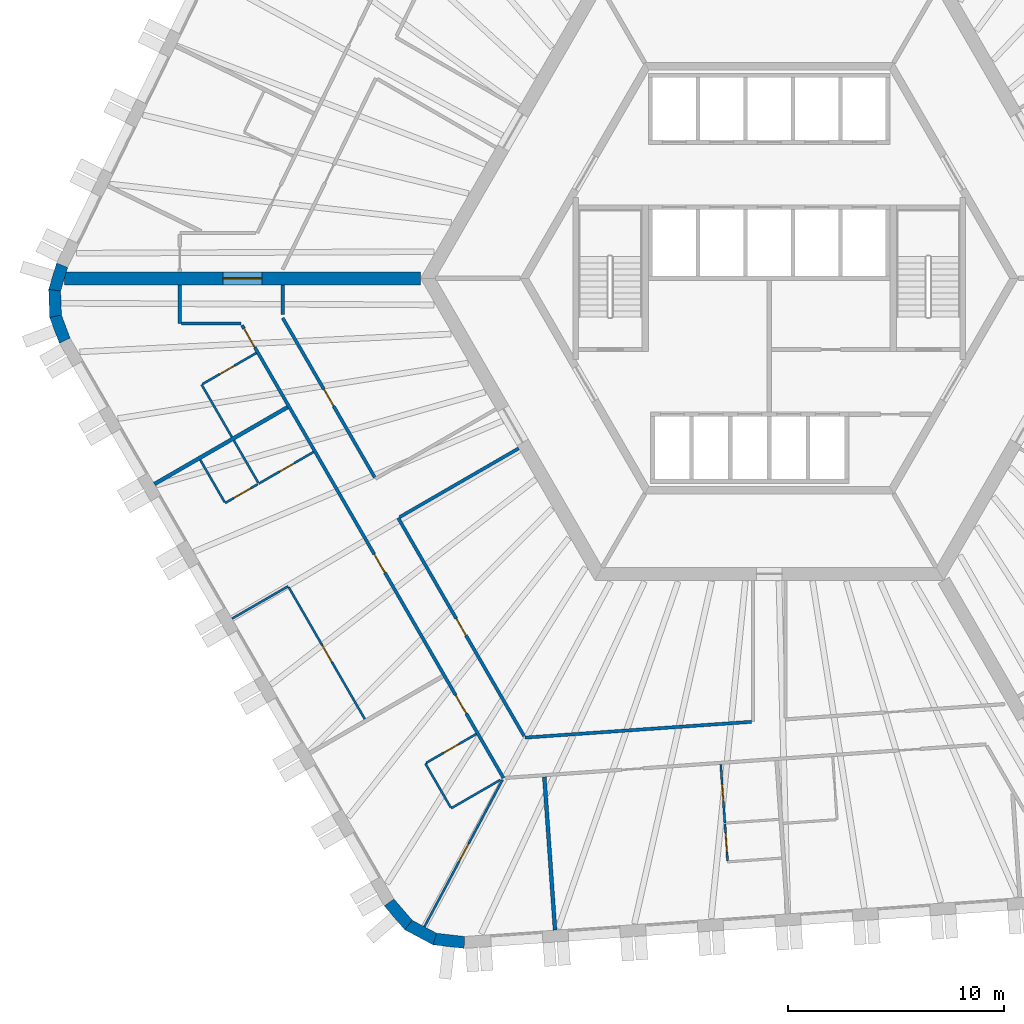
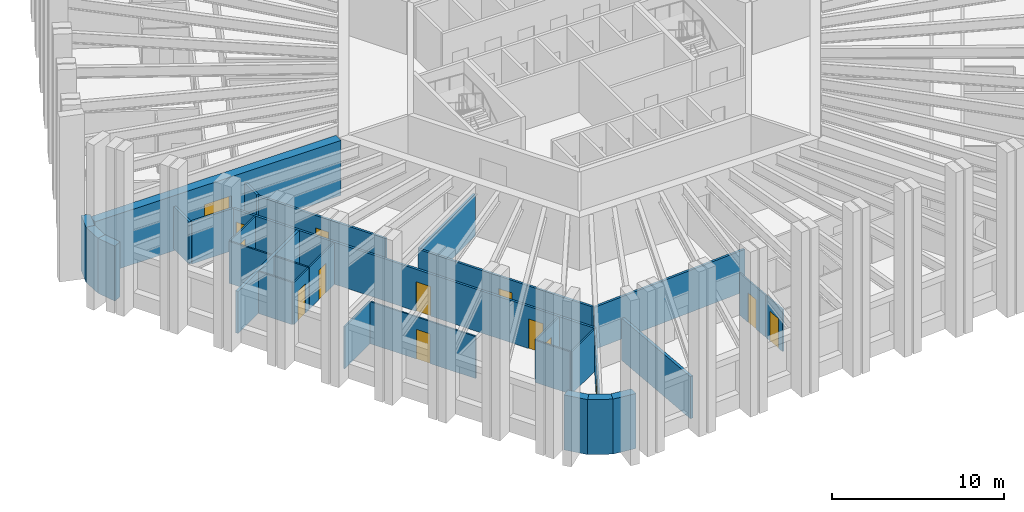
# One storey, part 3 of 12: 31 walls, 14 doors, 14 openings.
"""IFC4 building model written with IfcOpenShell, lengths in metres."""

from ifc_helpers import new_model, si_unit, direction, frame, frame_2d, origin, place, context, subcontext, project, spatial, polyline, rectangle, outline, extrude, material, layer, layer_set, type_object, element, fill, save


model = new_model("IFC4")

# Units and contexts
model_context = context("Model", 3, precision=1e-05, world=origin(), true_north=direction((0.0, 1.0)))
body_context = subcontext(model_context, "Body", "Model", "MODEL_VIEW")
ifc_project = project(units=[si_unit("LENGTHUNIT", "METRE"), si_unit("AREAUNIT", "SQUARE_METRE"), si_unit("VOLUMEUNIT", "CUBIC_METRE"), si_unit("PLANEANGLEUNIT", "RADIAN"), si_unit("MASSUNIT", "GRAM", prefix="KILO")], contexts=[model_context])

# Site, building, storey
site_placement = place(None, origin())
site = spatial("IfcSite", under=ifc_project, at=site_placement, CompositionType="ELEMENT")
building_placement = place(site_placement, origin())
building = spatial("IfcBuilding", under=site, at=building_placement, Name="Tarnside Tower", CompositionType="ELEMENT")
storey_placement = place(building_placement, frame((0.0, 0.0, 99.89990234375)))
storey = spatial("IfcBuildingStorey", under=building, at=storey_placement, Name="L22", CompositionType="ELEMENT", Elevation=99.89990234375)

# Wall
ifc_material_1 = material(Name="Gypsum board partition on steel studs", Category="steel")
ifc_layer_1 = layer(ifc_material_1, 0.10009765625)
ifc_layer_set_1 = layer_set([ifc_layer_1], Name="Bathroom wall 100")
wall_type_1 = type_object("IfcWallType", Name="Bathroom wall 100", PredefinedType="PARTITIONING", material=ifc_layer_set_1)
wall_1_placement = place(storey_placement, frame((-24.90673828125, -7.360595703125, 0.0), z_axis=(0.0, 0.0, 1.0), x_axis=(-0.499933044277, 0.866064057238, 0.0)))
element("IfcWall", 1, at=wall_1_placement, inside=storey, type_object=wall_type_1, Name="Bathroom wall 07102", PredefinedType="PARTITIONING", context=body_context, shape_type="SweptSolid", body=[
    extrude(rectangle(XDim=2.81005859375, YDim=0.10009765625, at=frame_2d((1.405029296875, 0.0))), origin(), (0.0, 0.0, 1.0), 2.98779296875),
])

# Wall, opening, door
wall_2_placement = place(storey_placement, frame((-26.268310546875, -4.90185546875, 0.0), z_axis=(0.0, 0.0, 1.0), x_axis=(0.866018712932, 0.500011588718, 0.0)))
wall_2 = element("IfcWall", 2, at=wall_2_placement, inside=storey, type_object=wall_type_1, Name="Bathroom wall 07103", PredefinedType="PARTITIONING", context=body_context, shape_type="SweptSolid", body=[
    extrude(rectangle(XDim=2.875, YDim=0.10009765625, at=frame_2d((1.4375, 0.0))), origin(), (0.0, 0.0, 1.0), 2.98779296875),
])
opening_1_placement = place(wall_2_placement, frame((0.89990234375, 0.0, 0.0)))
opening_1 = element("IfcOpeningElement", 3, at=opening_1_placement, cuts=wall_2, Name="Opening D-B1", PredefinedType="OPENING", context=body_context, shape_type="SweptSolid", body=[
    extrude(rectangle(XDim=0.800048828125, YDim=2.10009765625, at=frame_2d((0.39990234375, 1.050048828125))), frame((0.0, 0.06005859375, 0.0), z_axis=(0.0, -1.0, 0.0), x_axis=(1.0, 0.0, 0.0)), (0.0, 0.0, 1.0), 0.1201171875),
])
ifc_material_2 = material(Name="Timber door leaf", Category="wood")
door_type_1 = type_object("IfcDoorType", Name="Bathroom door 800", OperationType="NOTDEFINED", PredefinedType="DOOR", material=ifc_material_2)
door_1_placement = place(opening_1_placement, origin())
door_1 = element("IfcDoor", 4, at=door_1_placement, inside=storey, type_object=door_type_1, Name="Bathroom door 07015", OperationType="SINGLE_SWING_RIGHT", OverallHeight=2.10009765625, OverallWidth=0.800048828125, PredefinedType="DOOR", context=body_context, shape_type="SweptSolid", body=[
    extrude(rectangle(XDim=0.800048828125, YDim=2.10009765625, at=frame_2d((0.39990234375, 1.050048828125))), frame((0.0, 0.02490234375, 0.0), z_axis=(0.0, -1.0, 0.0), x_axis=(1.0, 0.0, 0.0)), (0.0, 0.0, 1.0), 0.050048828125),
])
fill(opening_1, door_1)

wall_3_placement = place(storey_placement, frame((-21.12841796875, -8.054443359375, 0.0), z_axis=(0.0, 0.0, 1.0), x_axis=(-0.866046596414, -0.499963291492, 0.0)))
wall_3 = element("IfcWall", 5, at=wall_3_placement, inside=storey, type_object=wall_type_1, Name="Bathroom wall 07107", PredefinedType="PARTITIONING", context=body_context, shape_type="SweptSolid", body=[
    extrude(rectangle(XDim=2.925048828125, YDim=0.10009765625, at=frame_2d((1.46240234375, 0.0))), origin(), (0.0, 0.0, 1.0), 2.98779296875),
])
opening_2_placement = place(wall_3_placement, frame((1.02490234375, 0.0, 0.0)))
opening_2 = element("IfcOpeningElement", 6, at=opening_2_placement, cuts=wall_3, Name="Opening D-B1", PredefinedType="OPENING", context=body_context, shape_type="SweptSolid", body=[
    extrude(rectangle(XDim=0.800048828125, YDim=2.10009765625, at=frame_2d((0.39990234375, 1.050048828125))), frame((0.0, 0.06005859375, 0.0), z_axis=(0.0, -1.0, 0.0), x_axis=(1.0, 0.0, 0.0)), (0.0, 0.0, 1.0), 0.1201171875),
])
door_2_placement = place(opening_2_placement, origin())
door_2 = element("IfcDoor", 7, at=door_2_placement, inside=storey, type_object=door_type_1, Name="Bathroom door 07017", OperationType="SINGLE_SWING_RIGHT", OverallHeight=2.10009765625, OverallWidth=0.800048828125, PredefinedType="DOOR", context=body_context, shape_type="SweptSolid", body=[
    extrude(rectangle(XDim=0.800048828125, YDim=2.10009765625, at=frame_2d((0.39990234375, 1.050048828125))), frame((0.0, 0.02490234375, 0.0), z_axis=(0.0, -1.0, 0.0), x_axis=(1.0, 0.0, 0.0)), (0.0, 0.0, 1.0), 0.050048828125),
])
fill(opening_2, door_2)

# Walls
wall_4_placement = place(storey_placement, frame((-24.816650390625, -7.516357421875, 0.0), z_axis=(0.0, 0.0, 1.0), x_axis=(0.500031020067, -0.8660074936, 0.0)))
element("IfcWall", 8, at=wall_4_placement, inside=storey, type_object=wall_type_1, Name="Bathroom wall 07113", PredefinedType="PARTITIONING", context=body_context, shape_type="SweptSolid", body=[
    extrude(rectangle(XDim=2.260009765625, YDim=0.10009765625, at=frame_2d((1.1298828125, 0.0))), origin(), (0.0, 0.0, 1.0), 2.98779296875),
])
wall_5_placement = place(storey_placement, frame((-12.465576171875, -23.251220703125, 0.0), z_axis=(0.0, 0.0, 1.0), x_axis=(-0.866017009382, -0.50001453925, 0.0)))
element("IfcWall", 9, at=wall_5_placement, inside=storey, type_object=wall_type_1, Name="Bathroom wall 07115", PredefinedType="PARTITIONING", context=body_context, shape_type="SweptSolid", body=[
    extrude(rectangle(XDim=2.62890625, YDim=0.10009765625, at=frame_2d((1.314453125, 0.0))), origin(), (0.0, 0.0, 1.0), 2.98779296875),
])
wall_6_placement = place(storey_placement, frame((-14.767333984375, -24.5224609375, 0.0), z_axis=(0.0, 0.0, 1.0), x_axis=(-0.499938297808, 0.866061024631, 0.0)))
element("IfcWall", 10, at=wall_6_placement, inside=storey, type_object=wall_type_1, Name="Bathroom wall 07116", PredefinedType="PARTITIONING", context=body_context, shape_type="SweptSolid", body=[
    extrude(rectangle(XDim=2.349853515625, YDim=0.10009765625, at=frame_2d((1.1748046875, 0.0))), origin(), (0.0, 0.0, 1.0), 2.98779296875),
])

# Wall, opening, door
wall_7_placement = place(storey_placement, frame((-15.89892578125, -22.462158203125, 0.0), z_axis=(0.0, 0.0, 1.0), x_axis=(0.86604424267, 0.499967368674, 0.0)))
wall_7 = element("IfcWall", 11, at=wall_7_placement, inside=storey, type_object=wall_type_1, Name="Bathroom wall 07117", PredefinedType="PARTITIONING", context=body_context, shape_type="SweptSolid", body=[
    extrude(rectangle(XDim=2.675048828125, YDim=0.10009765625, at=frame_2d((1.33740234375, 0.0))), origin(), (0.0, 0.0, 1.0), 2.98779296875),
])
opening_3_placement = place(wall_7_placement, frame((0.949951171875, 0.0, 0.0)))
opening_3 = element("IfcOpeningElement", 12, at=opening_3_placement, cuts=wall_7, Name="Opening D-B1", PredefinedType="OPENING", context=body_context, shape_type="SweptSolid", body=[
    extrude(rectangle(XDim=0.800048828125, YDim=2.10009765625, at=frame_2d((0.39990234375, 1.050048828125))), frame((0.0, 0.06005859375, 0.0), z_axis=(0.0, -1.0, 0.0), x_axis=(1.0, 0.0, 0.0)), (0.0, 0.0, 1.0), 0.1201171875),
])
door_3_placement = place(opening_3_placement, origin())
door_3 = element("IfcDoor", 13, at=door_3_placement, inside=storey, type_object=door_type_1, Name="Bathroom door 07021", OperationType="SINGLE_SWING_RIGHT", OverallHeight=2.10009765625, OverallWidth=0.800048828125, PredefinedType="DOOR", context=body_context, shape_type="SweptSolid", body=[
    extrude(rectangle(XDim=0.800048828125, YDim=2.10009765625, at=frame_2d((0.39990234375, 1.050048828125))), frame((0.0, 0.02490234375, 0.0), z_axis=(0.0, -1.0, 0.0), x_axis=(1.0, 0.0, 0.0)), (0.0, 0.0, 1.0), 0.050048828125),
])
fill(opening_3, door_3)

wall_8_placement = place(storey_placement, frame((-2.054443359375, -25.2548828125, 0.0), z_axis=(0.0, 0.0, 1.0), x_axis=(-0.069789009646, 0.997561774595, 0.0)))
wall_8 = element("IfcWall", 14, at=wall_8_placement, inside=storey, type_object=wall_type_1, Name="Bathroom wall 07120", PredefinedType="PARTITIONING", context=body_context, shape_type="SweptSolid", body=[
    extrude(rectangle(XDim=2.72509765625, YDim=0.10009765625, at=frame_2d((1.362548828125, 0.0))), origin(), (0.0, 0.0, 1.0), 2.98779296875),
])
opening_4_placement = place(wall_8_placement, frame((1.0, 0.0, 0.0)))
opening_4 = element("IfcOpeningElement", 15, at=opening_4_placement, cuts=wall_8, Name="Opening D-B1", PredefinedType="OPENING", context=body_context, shape_type="SweptSolid", body=[
    extrude(rectangle(XDim=0.800048828125, YDim=2.10009765625, at=frame_2d((0.39990234375, 1.050048828125))), frame((0.0, 0.06005859375, 0.0), z_axis=(0.0, -1.0, 0.0), x_axis=(1.0, 0.0, 0.0)), (0.0, 0.0, 1.0), 0.1201171875),
])
door_4_placement = place(opening_4_placement, origin())
door_4 = element("IfcDoor", 16, at=door_4_placement, inside=storey, type_object=door_type_1, Name="Bathroom door 07024", OperationType="SINGLE_SWING_LEFT", OverallHeight=2.10009765625, OverallWidth=0.800048828125, PredefinedType="DOOR", context=body_context, shape_type="SweptSolid", body=[
    extrude(rectangle(XDim=0.800048828125, YDim=2.10009765625, at=frame_2d((0.39990234375, 1.050048828125))), frame((0.0, 0.02490234375, 0.0), z_axis=(0.0, -1.0, 0.0), x_axis=(1.0, 0.0, 0.0)), (0.0, 0.0, 1.0), 0.050048828125),
])
fill(opening_4, door_4)

ifc_material_3 = material(Name="Concrete C80/95", Category="concrete")
ifc_layer_2 = layer(ifc_material_3, 0.60009765625)
ifc_layer_set_2 = layer_set([ifc_layer_2], Name="Core wall Z1 600 C80/95")
wall_type_2 = type_object("IfcWallType", Name="Core wall Z1 600 C80/95", PredefinedType="SHEAR", material=ifc_layer_set_2)
wall_9_placement = place(storey_placement, frame((-16.165771484375, 0.0, -0.14990234375), z_axis=(0.0, 0.0, 1.0), x_axis=(-1.0, 0.0, 0.0)))
wall_9 = element("IfcWall", 17, at=wall_9_placement, inside=storey, type_object=wall_type_2, Name="L22 spine wall 2", PredefinedType="SHEAR", context=body_context, shape_type="SweptSolid", body=[
    extrude(rectangle(XDim=16.509033203125, YDim=0.60009765625, at=frame_2d((8.25439453125, 0.0))), origin(), (0.0, 0.0, 1.0), 3.89990234375),
])
opening_5_placement = place(wall_9_placement, frame((7.3544921875, 0.0, 0.14990234375)))
opening_5 = element("IfcOpeningElement", 18, at=opening_5_placement, cuts=wall_9, Name="Opening CD-SPN", PredefinedType="OPENING", context=body_context, shape_type="SweptSolid", body=[
    extrude(rectangle(XDim=1.800048828125, YDim=2.39990234375, at=frame_2d((0.89990234375, 1.199951171875))), frame((0.0, 0.31005859375, 0.0), z_axis=(0.0, -1.0, 0.0), x_axis=(1.0, 0.0, 0.0)), (0.0, 0.0, 1.0), 0.6201171875),
])
ifc_material_4 = material(Name="Steel fire door", Category="steel")
door_type_2 = type_object("IfcDoorType", Name="Spine passage double door FD60 1800x2400", OperationType="NOTDEFINED", PredefinedType="DOOR", material=ifc_material_4)
door_5_placement = place(opening_5_placement, origin())
door_5 = element("IfcDoor", 19, at=door_5_placement, inside=storey, type_object=door_type_2, Name="L22 spine passage door 2", OperationType="DOUBLE_DOOR_SINGLE_SWING", OverallHeight=2.39990234375, OverallWidth=1.800048828125, PredefinedType="DOOR", context=body_context, shape_type="SweptSolid", body=[
    extrude(rectangle(XDim=1.800048828125, YDim=2.39990234375, at=frame_2d((0.89990234375, 1.199951171875))), frame((0.0, 0.02490234375, 0.0), z_axis=(0.0, -1.0, 0.0), x_axis=(1.0, 0.0, 0.0)), (0.0, 0.0, 1.0), 0.050048828125),
])
fill(opening_5, door_5)

# Walls
ifc_layer_3 = layer(ifc_material_1, 0.14990234375)
ifc_layer_set_3 = layer_set([ifc_layer_3], Name="Corridor wall 150 EI 60")
wall_type_3 = type_object("IfcWallType", Name="Corridor wall 150 EI 60", PredefinedType="PARTITIONING", material=ifc_layer_set_3)
wall_10_placement = place(storey_placement, frame((-27.3203125, -0.300048828125, 0.0), z_axis=(0.0, 0.0, 1.0), x_axis=(0.0, -1.0, 0.0)))
element("IfcWall", 20, at=wall_10_placement, inside=storey, type_object=wall_type_3, Name="Corridor wall 07027", PredefinedType="PARTITIONING", context=body_context, shape_type="SweptSolid", body=[
    extrude(rectangle(XDim=1.800048828125, YDim=0.14990234375, at=frame_2d((0.89990234375, 0.0))), origin(), (0.0, 0.0, 1.0), 2.98779296875),
])
wall_11_placement = place(storey_placement, frame((-27.245361328125, -2.10009765625, 0.0), z_axis=(0.0, 0.0, 1.0), x_axis=(1.0, 0.0, 0.0)))
element("IfcWall", 21, at=wall_11_placement, inside=storey, type_object=wall_type_3, Name="Corridor wall 07028", PredefinedType="PARTITIONING", context=body_context, shape_type="SweptSolid", body=[
    extrude(rectangle(XDim=2.765625, YDim=0.14990234375, at=frame_2d((1.3828125, 0.0))), origin(), (0.0, 0.0, 1.0), 2.98779296875),
])

# Wall, openings, doors
wall_12_placement = place(storey_placement, frame((-24.436279296875, -2.175048828125, 0.0), z_axis=(0.0, 0.0, 1.0), x_axis=(0.499996816197, -0.866027241946, 0.0)))
wall_12 = element("IfcWall", 22, at=wall_12_placement, inside=storey, type_object=wall_type_3, Name="Corridor wall 07029", PredefinedType="PARTITIONING", context=body_context, shape_type="SweptSolid", body=[
    extrude(rectangle(XDim=24.238037109375, YDim=0.14990234375, at=frame_2d((12.119140625, 0.0))), origin(), (0.0, 0.0, 1.0), 2.98779296875),
])
opening_6_placement = place(wall_12_placement, frame((0.179443359375, 0.0, 0.0)))
opening_6 = element("IfcOpeningElement", 23, at=opening_6_placement, cuts=wall_12, Name="Opening D-E1", PredefinedType="OPENING", context=body_context, shape_type="SweptSolid", body=[
    extrude(rectangle(XDim=1.0, YDim=2.10009765625, at=frame_2d((0.5, 1.050048828125))), frame((0.0, 0.0849609375, 0.0), z_axis=(0.0, -1.0, 0.0), x_axis=(1.0, 0.0, 0.0)), (0.0, 0.0, 1.0), 0.169921875),
])
opening_7_placement = place(wall_12_placement, frame((12.24560546875, 0.0, 0.0)))
opening_7 = element("IfcOpeningElement", 24, at=opening_7_placement, cuts=wall_12, Name="Opening D-E1", PredefinedType="OPENING", context=body_context, shape_type="SweptSolid", body=[
    extrude(rectangle(XDim=1.0, YDim=2.10009765625, at=frame_2d((0.5, 1.050048828125))), frame((0.0, 0.0849609375, 0.0), z_axis=(0.0, -1.0, 0.0), x_axis=(1.0, 0.0, 0.0)), (0.0, 0.0, 1.0), 0.169921875),
])
opening_8_placement = place(wall_12_placement, frame((19.791748046875, 0.0, 0.0)))
opening_8 = element("IfcOpeningElement", 25, at=opening_8_placement, cuts=wall_12, Name="Opening D-E1", PredefinedType="OPENING", context=body_context, shape_type="SweptSolid", body=[
    extrude(rectangle(XDim=1.0, YDim=2.10009765625, at=frame_2d((0.5, 1.050048828125))), frame((0.0, 0.0849609375, 0.0), z_axis=(0.0, -1.0, 0.0), x_axis=(1.0, 0.0, 0.0)), (0.0, 0.0, 1.0), 0.169921875),
])
door_type_3 = type_object("IfcDoorType", Name="Unit entrance door 1000 FD30S", OperationType="NOTDEFINED", PredefinedType="DOOR", material=ifc_material_2)
door_6_placement = place(opening_6_placement, origin())
door_6 = element("IfcDoor", 26, at=door_6_placement, inside=storey, type_object=door_type_3, Name="Unit door 07014", OperationType="SINGLE_SWING_RIGHT", OverallHeight=2.10009765625, OverallWidth=1.0, PredefinedType="DOOR", context=body_context, shape_type="SweptSolid", body=[
    extrude(rectangle(XDim=1.0, YDim=2.10009765625, at=frame_2d((0.5, 1.050048828125))), frame((0.0, 0.02490234375, 0.0), z_axis=(0.0, -1.0, 0.0), x_axis=(1.0, 0.0, 0.0)), (0.0, 0.0, 1.0), 0.050048828125),
])
fill(opening_6, door_6)
door_7_placement = place(opening_7_placement, origin())
door_7 = element("IfcDoor", 27, at=door_7_placement, inside=storey, type_object=door_type_3, Name="Unit door 07016", OperationType="SINGLE_SWING_RIGHT", OverallHeight=2.10009765625, OverallWidth=1.0, PredefinedType="DOOR", context=body_context, shape_type="SweptSolid", body=[
    extrude(rectangle(XDim=1.0, YDim=2.10009765625, at=frame_2d((0.5, 1.050048828125))), frame((0.0, 0.02490234375, 0.0), z_axis=(0.0, -1.0, 0.0), x_axis=(1.0, 0.0, 0.0)), (0.0, 0.0, 1.0), 0.050048828125),
])
fill(opening_7, door_7)
door_8_placement = place(opening_8_placement, origin())
door_8 = element("IfcDoor", 28, at=door_8_placement, inside=storey, type_object=door_type_3, Name="Unit door 07020", OperationType="SINGLE_SWING_RIGHT", OverallHeight=2.10009765625, OverallWidth=1.0, PredefinedType="DOOR", context=body_context, shape_type="SweptSolid", body=[
    extrude(rectangle(XDim=1.0, YDim=2.10009765625, at=frame_2d((0.5, 1.050048828125))), frame((0.0, 0.02490234375, 0.0), z_axis=(0.0, -1.0, 0.0), x_axis=(1.0, 0.0, 0.0)), (0.0, 0.0, 1.0), 0.050048828125),
])
fill(opening_8, door_8)

# Wall, opening, door
wall_13_placement = place(storey_placement, frame((-18.287109375, -9.225830078125, 0.0), z_axis=(0.0, 0.0, 1.0), x_axis=(-0.500004853958, 0.866022601332, 0.0)))
wall_13 = element("IfcWall", 29, at=wall_13_placement, inside=storey, type_object=wall_type_3, Name="Corridor wall 07044", PredefinedType="PARTITIONING", context=body_context, shape_type="SweptSolid", body=[
    extrude(rectangle(XDim=8.53125, YDim=0.14990234375, at=frame_2d((4.265625, 0.0))), origin(), (0.0, 0.0, 1.0), 2.98779296875),
])
opening_9_placement = place(wall_13_placement, frame((3.815673828125, 0.0, 0.0)))
opening_9 = element("IfcOpeningElement", 30, at=opening_9_placement, cuts=wall_13, Name="Opening D-S1", PredefinedType="OPENING", context=body_context, shape_type="SweptSolid", body=[
    extrude(rectangle(XDim=0.89990234375, YDim=2.10009765625, at=frame_2d((0.449951171875, 1.050048828125))), frame((0.0, 0.0849609375, 0.0), z_axis=(0.0, -1.0, 0.0), x_axis=(1.0, 0.0, 0.0)), (0.0, 0.0, 1.0), 0.169921875),
])
door_type_4 = type_object("IfcDoorType", Name="Service room door 900 FD30S", OperationType="NOTDEFINED", PredefinedType="DOOR", material=ifc_material_2)
door_9_placement = place(opening_9_placement, origin())
door_9 = element("IfcDoor", 31, at=door_9_placement, inside=storey, type_object=door_type_4, Name="Service door 07045", OperationType="SINGLE_SWING_RIGHT", OverallHeight=2.10009765625, OverallWidth=0.89990234375, PredefinedType="DOOR", context=body_context, shape_type="SweptSolid", body=[
    extrude(rectangle(XDim=0.89990234375, YDim=2.10009765625, at=frame_2d((0.449951171875, 1.050048828125))), frame((0.0, 0.02490234375, 0.0), z_axis=(0.0, -1.0, 0.0), x_axis=(1.0, 0.0, 0.0)), (0.0, 0.0, 1.0), 0.050048828125),
])
fill(opening_9, door_9)

# Walls
wall_14_placement = place(storey_placement, frame((-22.552734375, -1.6875, 0.0), z_axis=(0.0, 0.0, 1.0), x_axis=(0.0, 1.0, 0.0)))
element("IfcWall", 32, at=wall_14_placement, inside=storey, type_object=wall_type_3, Name="Corridor wall 07045", PredefinedType="PARTITIONING", context=body_context, shape_type="SweptSolid", body=[
    extrude(rectangle(XDim=1.387451171875, YDim=0.14990234375, at=frame_2d((0.69384765625, 0.0))), origin(), (0.0, 0.0, 1.0), 2.98779296875),
])
wall_15_placement = place(storey_placement, frame((-0.824951171875, -20.5576171875, 0.0), z_axis=(0.0, 0.0, 1.0), x_axis=(-0.997564524135, -0.069749696677, 0.0)))
element("IfcWall", 33, at=wall_15_placement, inside=storey, type_object=wall_type_3, Name="Corridor wall 07047", PredefinedType="PARTITIONING", context=body_context, shape_type="SweptSolid", body=[
    extrude(rectangle(XDim=10.521728515625, YDim=0.14990234375, at=frame_2d((5.2607421875, 0.0))), origin(), (0.0, 0.0, 1.0), 2.98779296875),
])

# Wall, opening, door
wall_16_placement = place(storey_placement, frame((-11.362548828125, -21.21923828125, 0.0), z_axis=(0.0, 0.0, 1.0), x_axis=(-0.50001451402, 0.866017023949, 0.0)))
wall_16 = element("IfcWall", 34, at=wall_16_placement, inside=storey, type_object=wall_type_3, Name="Corridor wall 07048", PredefinedType="PARTITIONING", context=body_context, shape_type="SweptSolid", body=[
    extrude(rectangle(XDim=11.674072265625, YDim=0.14990234375, at=frame_2d((5.8369140625, 0.0))), origin(), (0.0, 0.0, 1.0), 2.98779296875),
])
opening_10_placement = place(wall_16_placement, frame((5.386962890625, 0.0, 0.0)))
opening_10 = element("IfcOpeningElement", 35, at=opening_10_placement, cuts=wall_16, Name="Opening D-S1", PredefinedType="OPENING", context=body_context, shape_type="SweptSolid", body=[
    extrude(rectangle(XDim=0.89990234375, YDim=2.10009765625, at=frame_2d((0.449951171875, 1.050048828125))), frame((0.0, 0.0849609375, 0.0), z_axis=(0.0, -1.0, 0.0), x_axis=(1.0, 0.0, 0.0)), (0.0, 0.0, 1.0), 0.169921875),
])
door_10_placement = place(opening_10_placement, origin())
door_10 = element("IfcDoor", 36, at=door_10_placement, inside=storey, type_object=door_type_4, Name="Service door 07046", OperationType="SINGLE_SWING_RIGHT", OverallHeight=2.10009765625, OverallWidth=0.89990234375, PredefinedType="DOOR", context=body_context, shape_type="SweptSolid", body=[
    extrude(rectangle(XDim=0.89990234375, YDim=2.10009765625, at=frame_2d((0.449951171875, 1.050048828125))), frame((0.0, 0.02490234375, 0.0), z_axis=(0.0, -1.0, 0.0), x_axis=(1.0, 0.0, 0.0)), (0.0, 0.0, 1.0), 0.050048828125),
])
fill(opening_10, door_10)

# Walls
wall_17_placement = place(storey_placement, frame((-17.134765625, -11.07177734375, 0.0), z_axis=(0.0, 0.0, 1.0), x_axis=(0.866028703517, 0.499994284652, 0.0)))
element("IfcWall", 37, at=wall_17_placement, inside=storey, type_object=wall_type_3, Name="Corridor wall 07049", PredefinedType="PARTITIONING", context=body_context, shape_type="SweptSolid", body=[
    extrude(rectangle(XDim=6.375, YDim=0.14990234375, at=frame_2d((3.1875, 0.0))), origin(), (0.0, 0.0, 1.0), 2.98779296875),
])
ifc_layer_4 = layer(ifc_material_1, 0.179931640625)
ifc_layer_set_4 = layer_set([ifc_layer_4], Name="Demising wall 180 EI 60")
wall_type_4 = type_object("IfcWallType", Name="Demising wall 180 EI 60", PredefinedType="PARTITIONING", material=ifc_layer_set_4)
for number, where, z_axis, x_axis, name in (
    (38, (-28.4990234375, -9.538330078125, 0.0), (0.0, 0.0, 1.0), (0.866024672353, 0.500001266874, 0.0), "Demising wall 07104"),
    (39, (-9.927490234375, -30.216064453125, 0.0), (0.0, 0.0, 1.0), (-0.069764000094, 0.997563523938, 0.0), "Demising wall 07119"),
):
    element("IfcWall", number, at=place(storey_placement, frame(where, z_axis=z_axis, x_axis=x_axis)), inside=storey, type_object=wall_type_4, Name=name, PredefinedType="PARTITIONING", context=body_context, shape_type="SweptSolid", body=[
        extrude(rectangle(XDim=7.125, YDim=0.179931640625, at=frame_2d((3.5625, 0.0))), origin(), (0.0, 0.0, 1.0), 2.98779296875),
    ])

# Wall, opening, door
ifc_layer_5 = layer(ifc_material_1, 0.10009765625)
ifc_layer_set_5 = layer_set([ifc_layer_5], Name="Partition 100")
wall_type_5 = type_object("IfcWallType", Name="Partition 100", PredefinedType="PARTITIONING", material=ifc_layer_set_5)
wall_18_placement = place(storey_placement, frame((-23.704833984375, -9.5419921875, 0.0), z_axis=(0.0, 0.0, 1.0), x_axis=(-0.866036909293, -0.499980071345, 0.0)))
wall_18 = element("IfcWall", 40, at=wall_18_placement, inside=storey, type_object=wall_type_5, Name="Partition wall 07108", PredefinedType="PARTITIONING", context=body_context, shape_type="SweptSolid", body=[
    extrude(rectangle(XDim=1.75, YDim=0.10009765625, at=frame_2d((0.875, 0.0))), origin(), (0.0, 0.0, 1.0), 2.98779296875),
])
opening_11_placement = place(wall_18_placement, frame((0.39990234375, 0.0, 0.0)))
opening_11 = element("IfcOpeningElement", 41, at=opening_11_placement, cuts=wall_18, Name="Opening D-I1", PredefinedType="OPENING", context=body_context, shape_type="SweptSolid", body=[
    extrude(rectangle(XDim=0.89990234375, YDim=2.10009765625, at=frame_2d((0.449951171875, 1.050048828125))), frame((0.0, 0.06005859375, 0.0), z_axis=(0.0, -1.0, 0.0), x_axis=(1.0, 0.0, 0.0)), (0.0, 0.0, 1.0), 0.1201171875),
])
door_type_5 = type_object("IfcDoorType", Name="Internal door 900", OperationType="NOTDEFINED", PredefinedType="DOOR", material=ifc_material_2)
door_11_placement = place(opening_11_placement, origin())
door_11 = element("IfcDoor", 42, at=door_11_placement, inside=storey, type_object=door_type_5, Name="Internal door 07018", OperationType="SINGLE_SWING_RIGHT", OverallHeight=2.10009765625, OverallWidth=0.89990234375, PredefinedType="DOOR", context=body_context, shape_type="SweptSolid", body=[
    extrude(rectangle(XDim=0.89990234375, YDim=2.10009765625, at=frame_2d((0.449951171875, 1.050048828125))), frame((0.0, 0.02490234375, 0.0), z_axis=(0.0, -1.0, 0.0), x_axis=(1.0, 0.0, 0.0)), (0.0, 0.0, 1.0), 0.050048828125),
])
fill(opening_11, door_11)

# Walls
wall_19_placement = place(storey_placement, frame((-25.245361328125, -10.37353515625, 0.0), z_axis=(0.0, 0.0, 1.0), x_axis=(-0.500031020067, 0.8660074936, 0.0)))
element("IfcWall", 43, at=wall_19_placement, inside=storey, type_object=wall_type_5, Name="Partition wall 07109", PredefinedType="PARTITIONING", context=body_context, shape_type="SweptSolid", body=[
    extrude(rectangle(XDim=2.260009765625, YDim=0.10009765625, at=frame_2d((1.1298828125, 0.0))), origin(), (0.0, 0.0, 1.0), 2.98779296875),
])
wall_20_placement = place(storey_placement, frame((-24.89892578125, -15.773681640625, 0.0), z_axis=(0.0, 0.0, 1.0), x_axis=(0.866066333729, 0.499929100554, 0.0)))
element("IfcWall", 44, at=wall_20_placement, inside=storey, type_object=wall_type_5, Name="Partition wall 07110", PredefinedType="PARTITIONING", context=body_context, shape_type="SweptSolid", body=[
    extrude(rectangle(XDim=3.0, YDim=0.10009765625, at=frame_2d((1.5, 0.0))), origin(), (0.0, 0.0, 1.0), 2.98779296875),
])

# Wall, opening, door
wall_21_placement = place(storey_placement, frame((-22.27587890625, -14.317138671875, 0.0), z_axis=(0.0, 0.0, 1.0), x_axis=(0.500010820671, -0.866019156377, 0.0)))
wall_21 = element("IfcWall", 45, at=wall_21_placement, inside=storey, type_object=wall_type_5, Name="Partition wall 07111", PredefinedType="PARTITIONING", context=body_context, shape_type="SweptSolid", body=[
    extrude(rectangle(XDim=7.059814453125, YDim=0.10009765625, at=frame_2d((3.52978515625, 0.0))), origin(), (0.0, 0.0, 1.0), 2.98779296875),
])
opening_12_placement = place(wall_21_placement, frame((3.10009765625, 0.0, 0.0)))
opening_12 = element("IfcOpeningElement", 46, at=opening_12_placement, cuts=wall_21, Name="Opening D-I1", PredefinedType="OPENING", context=body_context, shape_type="SweptSolid", body=[
    extrude(rectangle(XDim=0.89990234375, YDim=2.10009765625, at=frame_2d((0.449951171875, 1.050048828125))), frame((0.0, 0.06005859375, 0.0), z_axis=(0.0, -1.0, 0.0), x_axis=(1.0, 0.0, 0.0)), (0.0, 0.0, 1.0), 0.1201171875),
])
door_12_placement = place(opening_12_placement, origin())
door_12 = element("IfcDoor", 47, at=door_12_placement, inside=storey, type_object=door_type_5, Name="Internal door 07019", OperationType="SINGLE_SWING_LEFT", OverallHeight=2.10009765625, OverallWidth=0.89990234375, PredefinedType="DOOR", context=body_context, shape_type="SweptSolid", body=[
    extrude(rectangle(XDim=0.89990234375, YDim=2.10009765625, at=frame_2d((0.449951171875, 1.050048828125))), frame((0.0, 0.02490234375, 0.0), z_axis=(0.0, -1.0, 0.0), x_axis=(1.0, 0.0, 0.0)), (0.0, 0.0, 1.0), 0.050048828125),
])
fill(opening_12, door_12)

wall_22_placement = place(storey_placement, frame((-15.98291015625, -30.059326171875, 0.0), z_axis=(0.0, 0.0, 1.0), x_axis=(0.469495384778, 0.882934926069, 0.0)))
wall_22 = element("IfcWall", 48, at=wall_22_placement, inside=storey, type_object=wall_type_5, Name="Partition wall 07118", PredefinedType="PARTITIONING", context=body_context, shape_type="SweptSolid", body=[
    extrude(rectangle(XDim=7.713134765625, YDim=0.10009765625, at=frame_2d((3.8564453125, 0.0))), origin(), (0.0, 0.0, 1.0), 2.98779296875),
])
opening_13_placement = place(wall_22_placement, frame((3.453857421875, 0.0, 0.0)))
opening_13 = element("IfcOpeningElement", 49, at=opening_13_placement, cuts=wall_22, Name="Opening D-I1", PredefinedType="OPENING", context=body_context, shape_type="SweptSolid", body=[
    extrude(rectangle(XDim=0.89990234375, YDim=2.10009765625, at=frame_2d((0.449951171875, 1.050048828125))), frame((0.0, 0.06005859375, 0.0), z_axis=(0.0, -1.0, 0.0), x_axis=(1.0, 0.0, 0.0)), (0.0, 0.0, 1.0), 0.1201171875),
])
door_13_placement = place(opening_13_placement, origin())
door_13 = element("IfcDoor", 50, at=door_13_placement, inside=storey, type_object=door_type_5, Name="Internal door 07022", OperationType="SINGLE_SWING_LEFT", OverallHeight=2.10009765625, OverallWidth=0.89990234375, PredefinedType="DOOR", context=body_context, shape_type="SweptSolid", body=[
    extrude(rectangle(XDim=0.89990234375, YDim=2.10009765625, at=frame_2d((0.449951171875, 1.050048828125))), frame((0.0, 0.02490234375, 0.0), z_axis=(0.0, -1.0, 0.0), x_axis=(1.0, 0.0, 0.0)), (0.0, 0.0, 1.0), 0.050048828125),
])
fill(opening_13, door_13)

wall_23_placement = place(storey_placement, frame((-1.932373046875, -27.00048828125, 0.0), z_axis=(0.0, 0.0, 1.0), x_axis=(-0.069797686069, 0.997561167558, 0.0)))
wall_23 = element("IfcWall", 51, at=wall_23_placement, inside=storey, type_object=wall_type_5, Name="Partition wall 07122", PredefinedType="PARTITIONING", context=body_context, shape_type="SweptSolid", body=[
    extrude(rectangle(XDim=1.699951171875, YDim=0.10009765625, at=frame_2d((0.85009765625, 0.0))), origin(), (0.0, 0.0, 1.0), 2.98779296875),
])
opening_14_placement = place(wall_23_placement, frame((0.39990234375, 0.0, 0.0)))
opening_14 = element("IfcOpeningElement", 52, at=opening_14_placement, cuts=wall_23, Name="Opening D-I1", PredefinedType="OPENING", context=body_context, shape_type="SweptSolid", body=[
    extrude(rectangle(XDim=0.89990234375, YDim=2.10009765625, at=frame_2d((0.449951171875, 1.050048828125))), frame((0.0, 0.06005859375, 0.0), z_axis=(0.0, -1.0, 0.0), x_axis=(1.0, 0.0, 0.0)), (0.0, 0.0, 1.0), 0.1201171875),
])
door_14_placement = place(opening_14_placement, origin())
door_14 = element("IfcDoor", 53, at=door_14_placement, inside=storey, type_object=door_type_5, Name="Internal door 07025", OperationType="SINGLE_SWING_RIGHT", OverallHeight=2.10009765625, OverallWidth=0.89990234375, PredefinedType="DOOR", context=body_context, shape_type="SweptSolid", body=[
    extrude(rectangle(XDim=0.89990234375, YDim=2.10009765625, at=frame_2d((0.449951171875, 1.050048828125))), frame((0.0, 0.02490234375, 0.0), z_axis=(0.0, -1.0, 0.0), x_axis=(1.0, 0.0, 0.0)), (0.0, 0.0, 1.0), 0.050048828125),
])
fill(opening_14, door_14)

# Walls
ifc_material_5 = material(Name="Facing brick", Category="masonry")
ifc_layer_6 = layer(ifc_material_5, 0.10205078125)
ifc_material_6 = material(Name="Concrete C60/75 precast", Category="concrete")
ifc_layer_7 = layer(ifc_material_6, 0.347900390625)
ifc_material_7 = material(Name="Mineral wool insulation")
ifc_layer_8 = layer(ifc_material_7, 0.10009765625)
ifc_layer_set_6 = layer_set([ifc_layer_6, ifc_layer_7, ifc_layer_8], Name="Tube wall 550 brick faced")
wall_type_6 = type_object("IfcWallType", Name="Tube wall 550 brick faced", PredefinedType="SOLIDWALL", material=ifc_layer_set_6)
wall_24_placement = place(storey_placement, frame((-32.77685546875, 0.605224609375, -0.14990234375), z_axis=(0.0, 0.0, 1.0), x_axis=(-0.286921497463, -0.957954098219, 0.0)))
element("IfcWall", 54, at=wall_24_placement, inside=storey, type_object=wall_type_6, Name="Tube wall L22 F2 chord 05", PredefinedType="SOLIDWALL", context=body_context, shape_type="SweptSolid", body=[
    extrude(outline(polyline([(-0.0224609375, -0.27490234375), (1.25341796875, -0.27490234375), (1.1630859375, 0.27490234375), (0.0224609375, 0.27490234375), (-0.0224609375, -0.27490234375)])), origin(), (0.0, 0.0, 1.0), 3.89990234375),
])
wall_25_placement = place(storey_placement, frame((-33.12353515625, -0.55224609375, -0.14990234375), z_axis=(0.0, 0.0, 1.0), x_axis=(0.03495638276, -0.999388838893, 0.0)))
element("IfcWall", 55, at=wall_25_placement, inside=storey, type_object=wall_type_6, Name="Tube wall L22 F2 chord 06", PredefinedType="SOLIDWALL", context=body_context, shape_type="SweptSolid", body=[
    extrude(outline(polyline([(-0.045166015625, -0.27490234375), (1.25341796875, -0.27490234375), (1.1630859375, 0.27490234375), (0.045166015625, 0.27490234375), (-0.045166015625, -0.27490234375)])), origin(), (0.0, 0.0, 1.0), 3.89990234375),
])
wall_26_placement = place(storey_placement, frame((-33.081298828125, -1.759765625, -0.14990234375), z_axis=(0.0, 0.0, 1.0), x_axis=(0.353027214741, -0.935613053378, 0.0)))
element("IfcWall", 56, at=wall_26_placement, inside=storey, type_object=wall_type_6, Name="Tube wall L22 F2 chord 07", PredefinedType="SOLIDWALL", context=body_context, shape_type="SweptSolid", body=[
    extrude(outline(polyline([(-0.045166015625, -0.27490234375), (1.230712890625, -0.27490234375), (1.185791015625, 0.27490234375), (0.045166015625, 0.27490234375), (-0.045166015625, -0.27490234375)])), origin(), (0.0, 0.0, 1.0), 3.89990234375),
])
wall_27_placement = place(storey_placement, frame((-17.619384765625, -28.932373046875, -0.14990234375), z_axis=(0.0, 0.0, 1.0), x_axis=(0.651621950847, -0.758543890078, 0.0)))
element("IfcWall", 57, at=wall_27_placement, inside=storey, type_object=wall_type_6, Name="Tube wall L22 F3 chord 09", PredefinedType="SOLIDWALL", context=body_context, shape_type="SweptSolid", body=[
    extrude(outline(polyline([(-0.025634765625, -0.27490234375), (1.430908203125, -0.27490234375), (1.327392578125, 0.27490234375), (0.025634765625, 0.27490234375), (-0.025634765625, -0.27490234375)])), origin(), (0.0, 0.0, 1.0), 3.89990234375),
])
wall_28_placement = place(storey_placement, frame((-16.720703125, -29.978515625, -0.14990234375), z_axis=(0.0, 0.0, 1.0), x_axis=(0.882994189209, -0.469383917304, 0.0)))
element("IfcWall", 58, at=wall_28_placement, inside=storey, type_object=wall_type_6, Name="Tube wall L22 F3 chord 10", PredefinedType="SOLIDWALL", context=body_context, shape_type="SweptSolid", body=[
    extrude(outline(polyline([(-0.0517578125, -0.27490234375), (1.4306640625, -0.27490234375), (1.3271484375, 0.27490234375), (0.0517578125, 0.27490234375), (-0.0517578125, -0.27490234375)])), origin(), (0.0, 0.0, 1.0), 3.89990234375),
])
wall_29_placement = place(storey_placement, frame((-15.503173828125, -30.625732421875, -0.14990234375), z_axis=(0.0, 0.0, 1.0), x_axis=(0.993232537394, -0.11614269956, 0.0)))
element("IfcWall", 59, at=wall_29_placement, inside=storey, type_object=wall_type_6, Name="Tube wall L22 F3 chord 11", PredefinedType="SOLIDWALL", context=body_context, shape_type="SweptSolid", body=[
    extrude(outline(polyline([(-0.0517578125, -0.27490234375), (1.404541015625, -0.27490234375), (1.353271484375, 0.27490234375), (0.0517578125, 0.27490234375), (-0.0517578125, -0.27490234375)])), origin(), (0.0, 0.0, 1.0), 3.89990234375),
])

save(model, "model.ifc")
